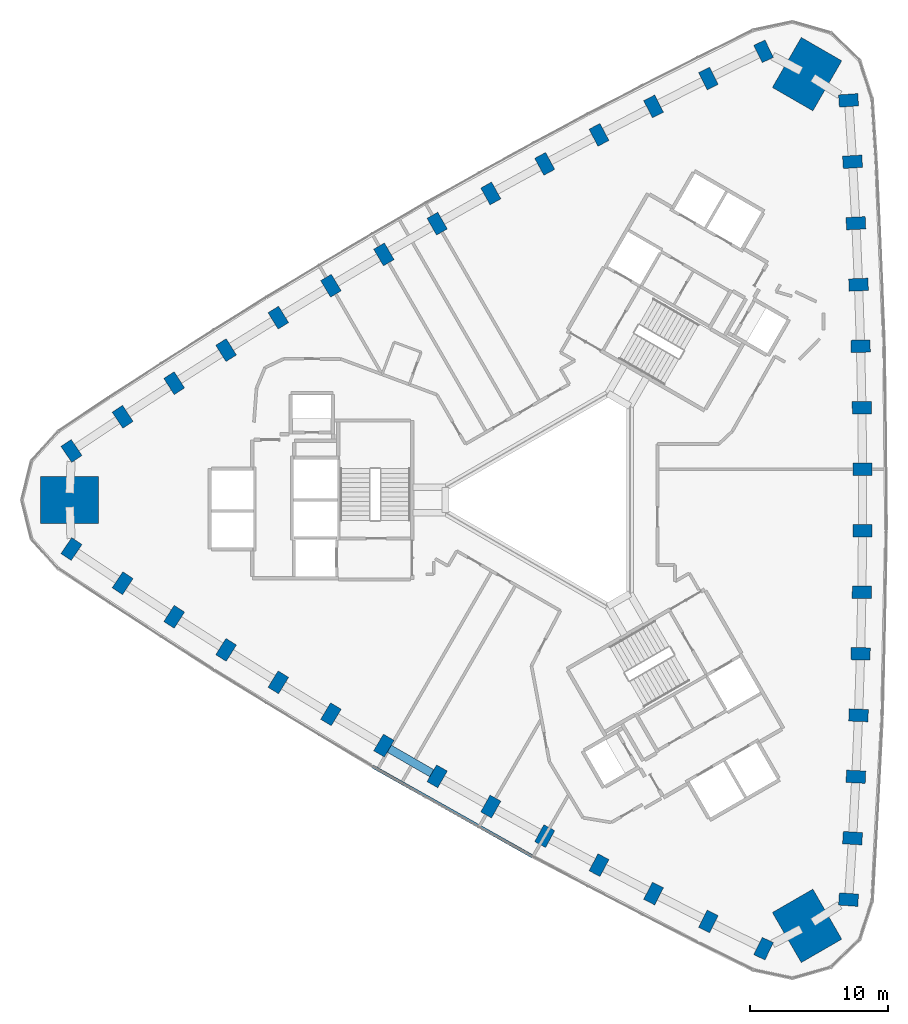
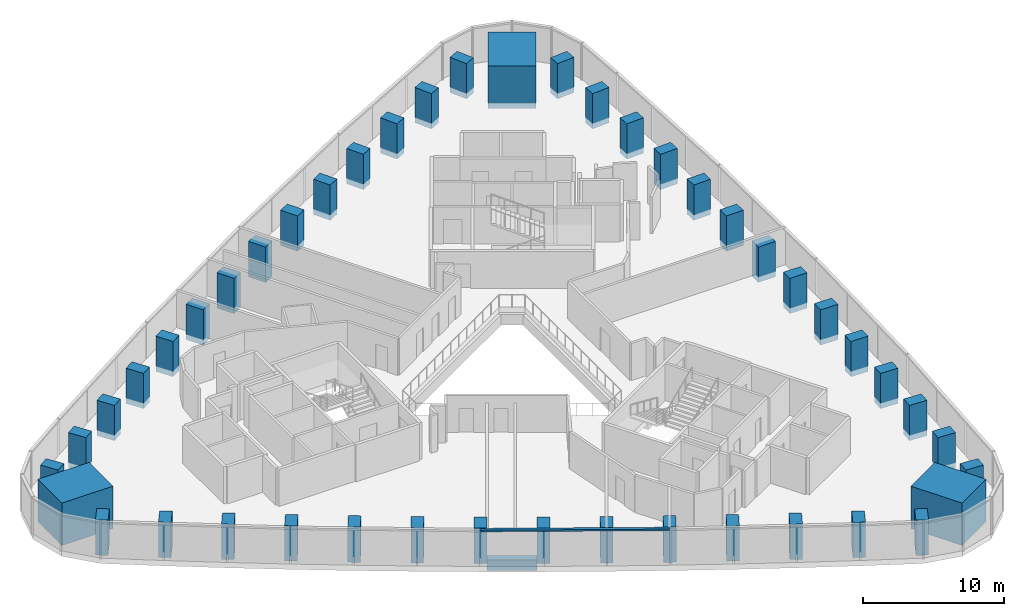
# One storey, part 1 of 12: 45 columns, 1 beam, 1 member, 1 element without a shape of its own.
"""IFC4 building model written with IfcOpenShell, lengths in metres."""

from ifc_helpers import new_model, si_unit, direction, frame, origin, origin_2d, place, context, subcontext, project, spatial, rectangle, extrude, material, material_profile, profile_set, type_object, element, aggregate, save


model = new_model("IFC4")

# Units and contexts
model_context = context("Model", 3, precision=1e-05, world=origin(), true_north=direction((0.0, 1.0)))
body_context = subcontext(model_context, "Body", "Model", "MODEL_VIEW")
ifc_project = project(units=[si_unit("LENGTHUNIT", "METRE"), si_unit("AREAUNIT", "SQUARE_METRE"), si_unit("VOLUMEUNIT", "CUBIC_METRE"), si_unit("PLANEANGLEUNIT", "RADIAN"), si_unit("MASSUNIT", "GRAM", prefix="KILO")], contexts=[model_context])

# Site, building, storey
site_placement = place(None, origin())
site = spatial("IfcSite", under=ifc_project, at=site_placement, CompositionType="ELEMENT")
building_placement = place(site_placement, origin())
building = spatial("IfcBuilding", under=site, at=building_placement, Name="Tamra Quay Hotel Tower", CompositionType="ELEMENT")
storey_placement = place(building_placement, frame((0.0, 0.0, 71.0)))
storey = spatial("IfcBuildingStorey", under=building, at=storey_placement, Name="L16", CompositionType="ELEMENT", Elevation=71.0)

# Columns
ifc_material_1 = material(Name="Concrete M70", Category="concrete")
ifc_material_profile_1 = material_profile(ifc_material_1, rectangle(XDim=1.39990234375, YDim=0.89990234375, at=origin_2d()), Name="COLUMN RC 900x1400 Z1")
ifc_profile_set_1 = profile_set([ifc_material_profile_1], Name="Concrete M70")
column_type_1 = type_object("IfcColumnType", Name="COLUMN RC 900x1400 Z1", PredefinedType="COLUMN", material=ifc_profile_set_1)
for number, where, z_axis, x_axis, name in (
    (1, (20.87890625, -29.033935546875, -0.47509765625), (0.0, 0.0, 1.0), (-0.997561736499, 0.069789554182, 0.0), "COL-C1E01-L16"),
    (2, (21.168701171875, -24.572509765625, -0.47509765625), (0.0, 0.0, 1.0), (-0.998214376921, 0.059733221148, 0.0), "COL-C1E02-L16"),
    (3, (21.410400390625, -20.10888671875, -0.47509765625), (0.0, 0.0, 1.0), (-0.998830734492, 0.048344222345, 0.0), "COL-C1E03-L16"),
    (4, (21.60400390625, -15.642578125, -0.47509765625), (0.0, 0.0, 1.0), (-0.999284860458, 0.037812268629, 0.0), "COL-C1E04-L16"),
    (5, (21.7490234375, -11.17431640625, -0.47509765625), (0.0, 0.0, 1.0), (-0.999628128016, 0.02726913418, 0.0), "COL-C1E05-L16"),
    (6, (21.845947265625, -6.70556640625, -0.47509765625), (0.0, 0.0, 1.0), (-0.999874567832, 0.015838200722, 0.0), "COL-C1E06-L16"),
    (7, (21.894287109375, -2.2353515625, -0.47509765625), (0.0, 0.0, 1.0), (-0.999986062833, 0.00527959646, 0.0), "COL-C1E07-L16"),
    (8, (21.894287109375, 2.2353515625, -0.47509765625), (0.0, 0.0, 1.0), (0.999986062833, 0.00527959646, 0.0), "COL-C1E08-L16"),
    (9, (21.845947265625, 6.70556640625, -0.47509765625), (0.0, 0.0, 1.0), (0.999874567832, 0.015838200722, 0.0), "COL-C1E09-L16"),
    (10, (21.7490234375, 11.17431640625, -0.47509765625), (0.0, 0.0, 1.0), (0.999628128016, 0.02726913418, 0.0), "COL-C1E10-L16"),
    (11, (21.60400390625, 15.642578125, -0.47509765625), (0.0, 0.0, 1.0), (0.999284860458, 0.037812268629, 0.0), "COL-C1E11-L16"),
    (12, (21.410400390625, 20.10888671875, -0.47509765625), (0.0, 0.0, 1.0), (0.998830734492, 0.048344222345, 0.0), "COL-C1E12-L16"),
    (13, (21.168701171875, 24.572509765625, -0.47509765625), (0.0, 0.0, 1.0), (0.998214376921, 0.059733221148, 0.0), "COL-C1E13-L16"),
    (14, (20.87890625, 29.033935546875, -0.47509765625), (0.0, 0.0, 1.0), (0.997561736499, 0.069789554182, 0.0), "COL-C1E14-L16"),
    (15, (14.70458984375, 32.5986328125, -0.47509765625), (0.0, 0.0, 1.0), (-0.438341341409, 0.898808582743, 0.0), "COL-C1NW01-L16"),
    (16, (10.69580078125, 30.618896484375, -0.47509765625), (0.0, 0.0, 1.0), (-0.447376701496, 0.89434561941, 0.0), "COL-C1NW02-L16"),
    (17, (6.709716796875, 28.596435546875, -0.47509765625), (0.0, 0.0, 1.0), (-0.457548042569, 0.889184901323, 0.0), "COL-C1NW03-L16"),
    (18, (2.744873046875, 26.53076171875, -0.47509765625), (0.0, 0.0, 1.0), (-0.466896045022, 0.884312209088, 0.0), "COL-C1NW04-L16"),
    (19, (-1.197265625, 24.422607421875, -0.47509765625), (0.0, 0.0, 1.0), (-0.476198301069, 0.879337920289, 0.0), "COL-C1NW05-L16"),
    (20, (-5.11572265625, 22.27197265625, -0.47509765625), (0.0, 0.0, 1.0), (-0.486220999741, 0.873835876702, 0.0), "COL-C1NW06-L16"),
    (21, (-9.011474609375, 20.07861328125, -0.47509765625), (0.0, 0.0, 1.0), (-0.495420766761, 0.868653132074, 0.0), "COL-C1NW07-L16"),
    (22, (-12.883056640625, 17.843505859375, -0.47509765625), (0.0, 0.0, 1.0), (-0.504565296072, 0.863373535614, 0.0), "COL-C1NW08-L16"),
    (23, (-16.72998046875, 15.56640625, -0.47509765625), (0.0, 0.0, 1.0), (-0.513653568092, 0.85799767598, 0.0), "COL-C1NW09-L16"),
    (24, (-20.552001953125, 13.248046875, -0.47509765625), (0.0, 0.0, 1.0), (-0.523429826947, 0.85206878611, 0.0), "COL-C1NW10-L16"),
    (25, (-24.348876953125, 10.88818359375, -0.47509765625), (0.0, 0.0, 1.0), (-0.532388815436, 0.84649994046, 0.0), "COL-C1NW11-L16"),
    (26, (-28.1201171875, 8.487548828125, -0.47509765625), (0.0, 0.0, 1.0), (-0.541282691923, 0.840840678978, 0.0), "COL-C1NW12-L16"),
    (27, (-31.86474609375, 6.04638671875, -0.47509765625), (0.0, 0.0, 1.0), (-0.550837675425, 0.834612398262, 0.0), "COL-C1NW13-L16"),
    (28, (-35.58349609375, 3.564697265625, -0.47509765625), (0.0, 0.0, 1.0), (-0.55922039509, 0.82901902856, 0.0), "COL-C1NW14-L16"),
    (29, (-35.58349609375, -3.564697265625, -0.47509765625), (0.0, 0.0, 1.0), (0.55922039509, 0.82901902856, 0.0), "COL-C1SW01-L16"),
    (30, (-31.86474609375, -6.04638671875, -0.47509765625), (0.0, 0.0, 1.0), (0.550837675425, 0.834612398262, 0.0), "COL-C1SW02-L16"),
    (31, (-28.1201171875, -8.487548828125, -0.47509765625), (0.0, 0.0, 1.0), (0.541282691923, 0.840840678978, 0.0), "COL-C1SW03-L16"),
    (32, (-24.348876953125, -10.88818359375, -0.47509765625), (0.0, 0.0, 1.0), (0.532388815436, 0.84649994046, 0.0), "COL-C1SW04-L16"),
    (33, (-20.552001953125, -13.248046875, -0.47509765625), (0.0, 0.0, 1.0), (0.523429826947, 0.85206878611, 0.0), "COL-C1SW05-L16"),
    (34, (-16.72998046875, -15.56640625, -0.47509765625), (0.0, 0.0, 1.0), (0.513653568092, 0.85799767598, 0.0), "COL-C1SW06-L16"),
    (35, (-12.883056640625, -17.843505859375, -0.47509765625), (0.0, 0.0, 1.0), (0.504565296072, 0.863373535614, 0.0), "COL-C1SW07-L16"),
    (36, (-9.011474609375, -20.07861328125, -0.47509765625), (0.0, 0.0, 1.0), (0.495420766761, 0.868653132074, 0.0), "COL-C1SW08-L16"),
    (37, (-5.11572265625, -22.27197265625, -0.47509765625), (0.0, 0.0, 1.0), (0.486220999741, 0.873835876702, 0.0), "COL-C1SW09-L16"),
    (38, (-1.197265625, -24.422607421875, -0.47509765625), (0.0, 0.0, 1.0), (0.476198301069, 0.879337920289, 0.0), "COL-C1SW10-L16"),
    (39, (2.744873046875, -26.53076171875, -0.47509765625), (0.0, 0.0, 1.0), (0.466896045022, 0.884312209088, 0.0), "COL-C1SW11-L16"),
    (40, (6.709716796875, -28.596435546875, -0.47509765625), (0.0, 0.0, 1.0), (0.457548042569, 0.889184901323, 0.0), "COL-C1SW12-L16"),
    (41, (10.69580078125, -30.618896484375, -0.47509765625), (0.0, 0.0, 1.0), (0.447376701496, 0.89434561941, 0.0), "COL-C1SW13-L16"),
    (42, (14.70458984375, -32.5986328125, -0.47509765625), (0.0, 0.0, 1.0), (0.438341341409, 0.898808582743, 0.0), "COL-C1SW14-L16"),
):
    element("IfcColumn", number, at=place(storey_placement, frame(where, z_axis=z_axis, x_axis=x_axis)), inside=storey, type_object=column_type_1, Name=name, PredefinedType="COLUMN", context=body_context, shape_type="SweptSolid", body=[
        extrude(rectangle(XDim=1.39990234375, YDim=0.89990234375, at=origin_2d()), origin(), (0.0, 0.0, 1.0), 3.05517578125),
    ])
ifc_material_profile_2 = material_profile(ifc_material_1, rectangle(XDim=4.199951171875, YDim=3.39990234375, at=origin_2d()), Name="MEGA COLUMN RC 3400x4200 Z1")
ifc_profile_set_2 = profile_set([ifc_material_profile_2], Name="Concrete M70")
column_type_2 = type_object("IfcColumnType", Name="MEGA COLUMN RC 3400x4200 Z1", PredefinedType="COLUMN", material=ifc_profile_set_2)
for number, where, z_axis, x_axis, name in (
    (43, (17.864501953125, 30.942138671875, -0.47509765625), (0.0, 0.0, 1.0), (0.5, 0.866025403784, 0.0), "COL-M1NE-L16"),
    (44, (-35.72900390625, 0.0, -0.47509765625), (0.0, 0.0, 1.0), (1.0, 0.0, 0.0), "COL-M1W-L16"),
    (45, (17.864501953125, -30.942138671875, -0.47509765625), (0.0, 0.0, 1.0), (-0.5, 0.866025403784, 0.0), "COL-M1SE-L16"),
):
    element("IfcColumn", number, at=place(storey_placement, frame(where, z_axis=z_axis, x_axis=x_axis)), inside=storey, type_object=column_type_2, Name=name, PredefinedType="COLUMN", context=body_context, shape_type="SweptSolid", body=[
        extrude(rectangle(XDim=4.199951171875, YDim=3.39990234375, at=origin_2d()), origin(), (0.0, 0.0, 1.0), 3.675048828125),
    ])

# Beam
ifc_material_2 = material(Name="Concrete M60", Category="concrete")
ifc_material_profile_3 = material_profile(ifc_material_2, rectangle(XDim=0.60009765625, YDim=0.89990234375, at=origin_2d()), Name="SPANDREL BEAM RC 600x900")
ifc_profile_set_3 = profile_set([ifc_material_profile_3], Name="Concrete M60")
beam_type = type_object("IfcBeamType", Name="SPANDREL BEAM RC 600x900", PredefinedType="SPANDREL", material=ifc_profile_set_3)
beam_placement = place(storey_placement, frame((-12.493408203125, -18.068359375, -0.925048828125), z_axis=(0.866017069707, -0.500014434768, 0.0), x_axis=(0.500014434768, 0.866017069707, 0.0)))
element("IfcBeam", 46, at=beam_placement, inside=storey, type_object=beam_type, Name="BM-SP1-036-L16", PredefinedType="SPANDREL", context=body_context, shape_type="SweptSolid", body=[
    extrude(rectangle(XDim=0.60009765625, YDim=0.89990234375, at=origin_2d()), origin(), (0.0, 0.0, 1.0), 3.57080078125),
])

# Curtain wall, member
ifc_material_3 = material(Name="Aluminium 6063 anodised dark grey", Category="aluminium")
curtain_wall_type = type_object("IfcCurtainWallType", Name="CW3 CURTAIN WALL", PredefinedType="NOTDEFINED", material=ifc_material_3)
curtain_wall_placement = place(storey_placement, origin())
curtain_wall = element("IfcCurtainWall", 47, at=curtain_wall_placement, inside=storey, type_object=curtain_wall_type, Name="CW3 south-west face L16", PredefinedType="NOTDEFINED")
ifc_material_profile_4 = material_profile(ifc_material_3, rectangle(XDim=0.239990234375, YDim=0.139892578125, at=origin_2d()), Name="TRANSOM 240X140")
ifc_profile_set_4 = profile_set([ifc_material_profile_4], Name="Aluminium 6063 anodised dark grey")
member_type = type_object("IfcMemberType", Name="TRANSOM CW3 Z1", PredefinedType="USERDEFINED", material=ifc_profile_set_4)
member_placement = place(storey_placement, frame((-13.70947265625, -19.35693359375, 3.1298828125), z_axis=(0.871394018257, -0.490583800125, 0.0), x_axis=(0.490583800125, 0.871394018257, 0.0)))
member = element("IfcMember", 48, at=member_placement, type_object=member_type, Name="CW3 transom L16.SW.7", ObjectType="TRANSOM", PredefinedType="USERDEFINED", context=body_context, shape_type="SweptSolid", body=[
    extrude(rectangle(XDim=0.239990234375, YDim=0.139892578125, at=origin_2d()), origin(), (0.0, 0.0, 1.0), 13.366455078125),
])
aggregate(curtain_wall, [member])

save(model, "model.ifc")
